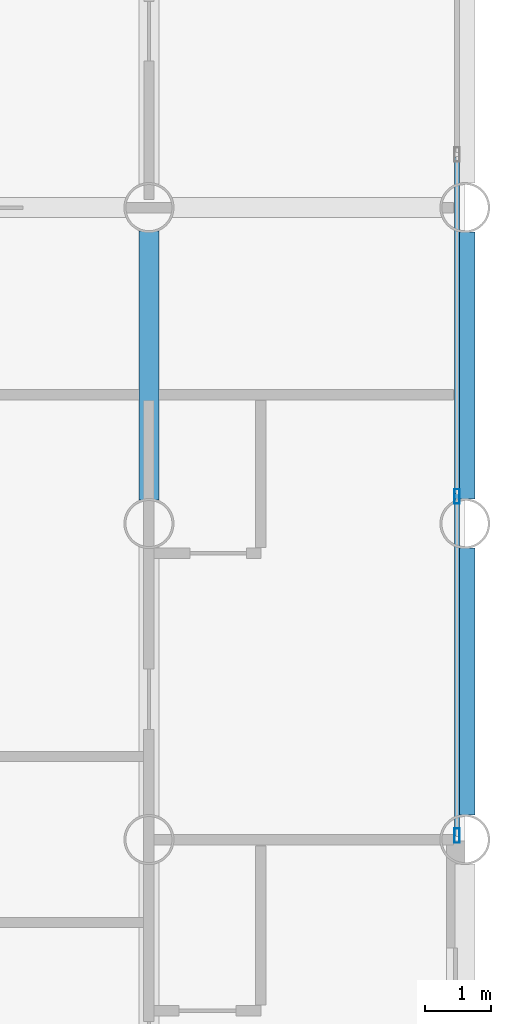
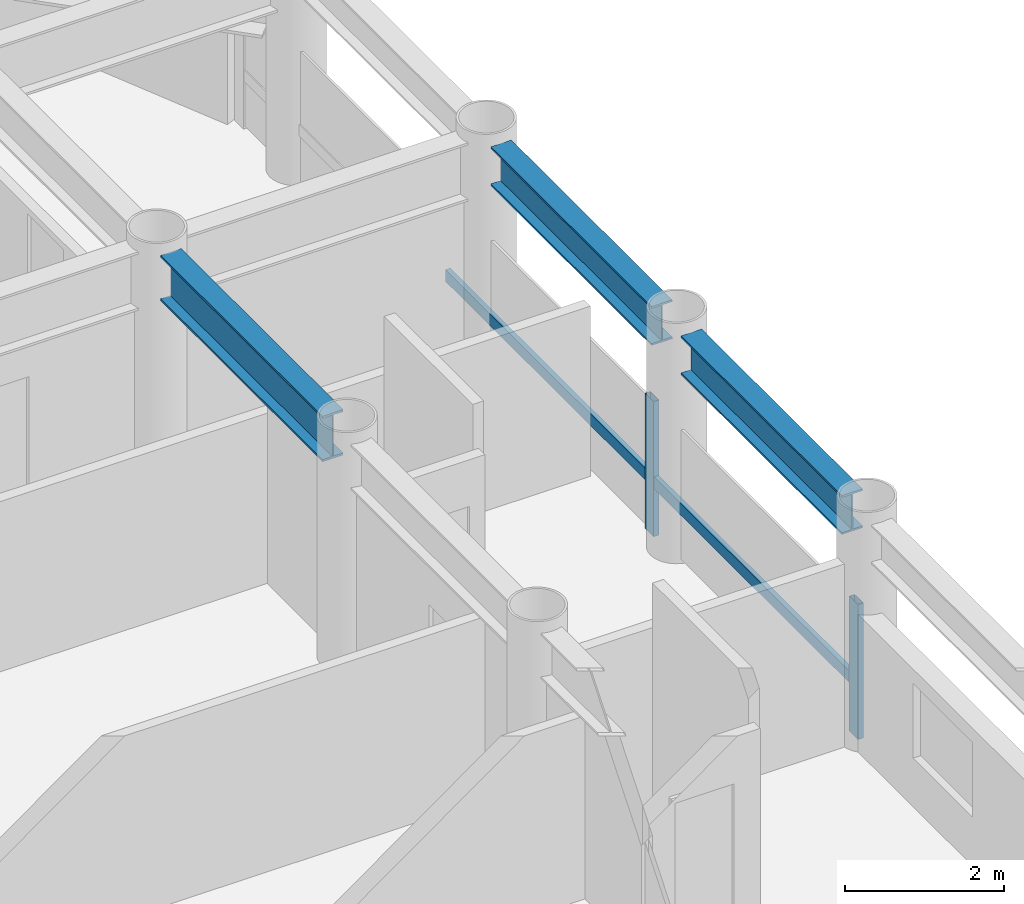
# One storey, part 8 of 20: 4 members, 3 beams, 1 element without a shape of its own.
"""IFC4 building model written with IfcOpenShell, lengths in metres."""

from ifc_helpers import new_model, si_unit, direction, frame, origin, origin_2d, place, context, subcontext, project, spatial, hollow_rectangle, i_section, extrude, material, layer, layer_set, material_profile, profile_set, type_object, element, aggregate, save


model = new_model("IFC4")

# Units and contexts
model_context = context("Model", 3, precision=1e-05, world=origin(), true_north=direction((0.0, 1.0)))
body_context = subcontext(model_context, "Body", "Model", "MODEL_VIEW")
ifc_project = project(units=[si_unit("LENGTHUNIT", "METRE"), si_unit("AREAUNIT", "SQUARE_METRE"), si_unit("VOLUMEUNIT", "CUBIC_METRE"), si_unit("PLANEANGLEUNIT", "RADIAN"), si_unit("MASSUNIT", "GRAM", prefix="KILO")], contexts=[model_context])

# Site, building, storey
site_placement = place(None, origin())
site = spatial("IfcSite", under=ifc_project, at=site_placement, CompositionType="ELEMENT")
building_placement = place(site_placement, origin())
building = spatial("IfcBuilding", under=site, at=building_placement, Name="Kallvorn Hotel Tower", CompositionType="ELEMENT")
storey_placement = place(building_placement, frame((0.0, 0.0, 70.699951171875)))
storey = spatial("IfcBuildingStorey", under=building, at=storey_placement, Name="L16", CompositionType="ELEMENT", Elevation=70.699951171875)

# Beams
ifc_material_1 = material(Name="Structural steel S355JR", Category="steel")
ifc_material_profile_1 = material_profile(ifc_material_1, i_section(OverallWidth=0.300048828125, OverallDepth=0.60009765625, WebThickness=0.015380859375, FlangeThickness=0.030029296875, at=origin_2d()), Name="HE 600 B")
ifc_profile_set_1 = profile_set([ifc_material_profile_1], Name="Structural steel S355JR")
beam_type_1 = type_object("IfcBeamType", Name="BM_HE600B", PredefinedType="SPANDREL", material=ifc_profile_set_1)
beam_1_placement = place(storey_placement, frame((33.60009765625, 0.37109375, 3.219970703125), z_axis=(0.0, 1.0, 0.0), x_axis=(-1.0, 0.0, 0.0)))
element("IfcBeam", 1, at=beam_1_placement, inside=storey, type_object=beam_type_1, Name="L17 Perimeter Spandrel 186", PredefinedType="SPANDREL", context=body_context, shape_type="SweptSolid", body=[
    extrude(i_section(OverallWidth=0.300048828125, OverallDepth=0.60009765625, WebThickness=0.015380859375, FlangeThickness=0.030029296875, at=origin_2d()), origin(), (0.0, 0.0, 1.0), 4.057861328125),
])
beam_2_placement = place(storey_placement, frame((33.60009765625, 5.1708984375, 3.219970703125), z_axis=(0.0, 1.0, 0.0), x_axis=(-1.0, 0.0, 0.0)))
element("IfcBeam", 2, at=beam_2_placement, inside=storey, type_object=beam_type_1, Name="L17 Perimeter Spandrel 187", PredefinedType="SPANDREL", context=body_context, shape_type="SweptSolid", body=[
    extrude(i_section(OverallWidth=0.300048828125, OverallDepth=0.60009765625, WebThickness=0.015380859375, FlangeThickness=0.030029296875, at=origin_2d()), origin(), (0.0, 0.0, 1.0), 4.05810546875),
])
ifc_material_2 = material(Name="Structural steel S355JR", Category="steel")
ifc_material_profile_2 = material_profile(ifc_material_2, i_section(OverallWidth=0.300048828125, OverallDepth=0.699951171875, WebThickness=0.01708984375, FlangeThickness=0.031982421875, at=origin_2d()), Name="HE 700 B")
ifc_profile_set_2 = profile_set([ifc_material_profile_2], Name="Structural steel S355JR")
beam_type_2 = type_object("IfcBeamType", Name="BM_HE700B", PredefinedType="BEAM", material=ifc_profile_set_2)
beam_3_placement = place(storey_placement, frame((28.800048828125, 5.156005859375, 3.170166015625), z_axis=(0.0, 1.0, 0.0), x_axis=(-1.0, 0.0, 0.0)))
element("IfcBeam", 3, at=beam_3_placement, inside=storey, type_object=beam_type_2, Name="L17 Primary Y-Girder 148", PredefinedType="BEAM", context=body_context, shape_type="SweptSolid", body=[
    extrude(i_section(OverallWidth=0.300048828125, OverallDepth=0.699951171875, WebThickness=0.01708984375, FlangeThickness=0.031982421875, at=origin_2d()), origin(), (0.0, 0.0, 1.0), 4.087890625),
])

# Curtain wall, members
ifc_material_3 = material(Name="Thermally broken black-anodised aluminium AA 6063-T6", Category="aluminium")
ifc_layer = layer(ifc_material_3, 0.199951171875)
ifc_layer_set = layer_set([ifc_layer], Name="CW_SYS_3_HOTEL_LOW")
curtain_wall_type = type_object("IfcCurtainWallType", Name="CW_SYS_3_HOTEL_LOW", PredefinedType="USERDEFINED", material=ifc_layer_set)
curtain_wall_placement = place(storey_placement, origin())
curtain_wall = element("IfcCurtainWall", 4, at=curtain_wall_placement, inside=storey, type_object=curtain_wall_type, Name="L16 Dark-Glass Curtain Wall CW-L16-EN", ObjectType="UNITISED CURTAIN WALL", PredefinedType="USERDEFINED")
ifc_material_4 = material(Name="Thermally broken black-anodised aluminium AA 6063-T6", Category="aluminium")
ifc_material_profile_3 = material_profile(ifc_material_4, hollow_rectangle(XDim=0.080078125, YDim=0.219970703125, WallThickness=0.0048828125, at=origin_2d()), Name="MUL 220x80")
ifc_profile_set_3 = profile_set([ifc_material_profile_3], Name="Thermally broken black-anodised aluminium AA 6063-T6")
member_type_1 = type_object("IfcMemberType", Name="CW_MULLION_220x80", PredefinedType="MULLION", material=ifc_profile_set_3)
member_1_placement = place(storey_placement, frame((33.47998046875, 0.06005859375, 0.02001953125), z_axis=(0.0, 0.0, 1.0), x_axis=(1.0, 0.0, 0.0)))
member_1 = element("IfcMember", 5, at=member_1_placement, type_object=member_type_1, Name="CW-L16-EN Mullion 00", PredefinedType="MULLION", context=body_context, shape_type="SweptSolid", body=[
    extrude(hollow_rectangle(XDim=0.080078125, YDim=0.219970703125, WallThickness=0.0048828125, at=origin_2d()), origin(), (0.0, 0.0, 1.0), 2.080078125),
])
member_2_placement = place(storey_placement, frame((33.47998046875, 5.21337890625, 0.02001953125), z_axis=(0.0, 0.0, 1.0), x_axis=(1.0, 0.0, 0.0)))
member_2 = element("IfcMember", 6, at=member_2_placement, type_object=member_type_1, Name="CW-L16-EN Mullion 01", PredefinedType="MULLION", context=body_context, shape_type="SweptSolid", body=[
    extrude(hollow_rectangle(XDim=0.080078125, YDim=0.219970703125, WallThickness=0.0048828125, at=origin_2d()), origin(), (0.0, 0.0, 1.0), 2.080078125),
])
ifc_material_5 = material(Name="Thermally broken black-anodised aluminium AA 6063-T6", Category="aluminium")
ifc_material_profile_4 = material_profile(ifc_material_5, hollow_rectangle(XDim=0.070068359375, YDim=0.179931640625, WallThickness=0.00390625, at=origin_2d()), Name="TRN 180x70")
ifc_profile_set_4 = profile_set([ifc_material_profile_4], Name="Thermally broken black-anodised aluminium AA 6063-T6")
member_type_2 = type_object("IfcMemberType", Name="CW_TRANSOM_180x70", PredefinedType="USERDEFINED", material=ifc_profile_set_4)
member_3_placement = place(storey_placement, frame((33.47998046875, 0.06005859375, 0.85009765625), z_axis=(0.0, 1.0, 0.0), x_axis=(-1.0, 0.0, 0.0)))
member_3 = element("IfcMember", 7, at=member_3_placement, type_object=member_type_2, Name="CW-L16-EN Transom 00M", ObjectType="TRANSOM", PredefinedType="USERDEFINED", context=body_context, shape_type="SweptSolid", body=[
    extrude(hollow_rectangle(XDim=0.070068359375, YDim=0.179931640625, WallThickness=0.00390625, at=origin_2d()), origin(), (0.0, 0.0, 1.0), 5.11328125),
])
member_4_placement = place(storey_placement, frame((33.47998046875, 5.25341796875, 0.85009765625), z_axis=(0.0, 1.0, 0.0), x_axis=(-1.0, 0.0, 0.0)))
member_4 = element("IfcMember", 8, at=member_4_placement, type_object=member_type_2, Name="CW-L16-EN Transom 01M", ObjectType="TRANSOM", PredefinedType="USERDEFINED", context=body_context, shape_type="SweptSolid", body=[
    extrude(hollow_rectangle(XDim=0.070068359375, YDim=0.179931640625, WallThickness=0.00390625, at=origin_2d()), origin(), (0.0, 0.0, 1.0), 5.11328125),
])
aggregate(curtain_wall, [member_1, member_2, member_3, member_4])

save(model, "model.ifc")
